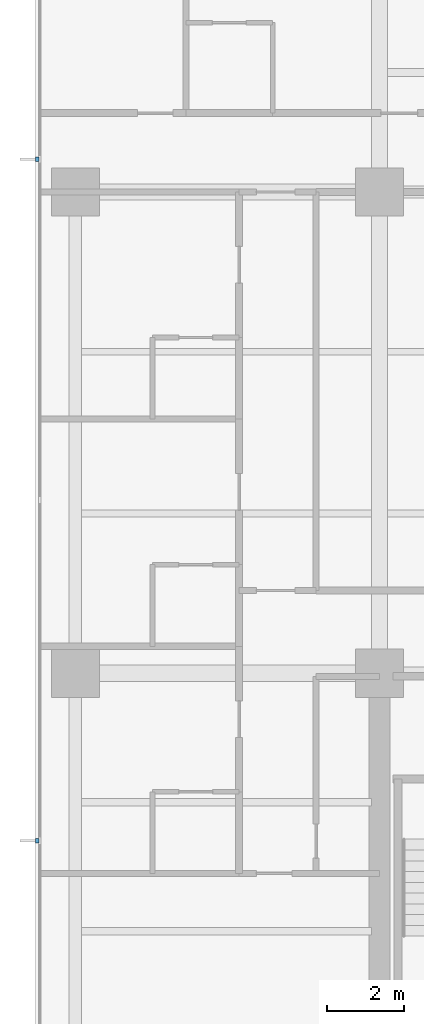
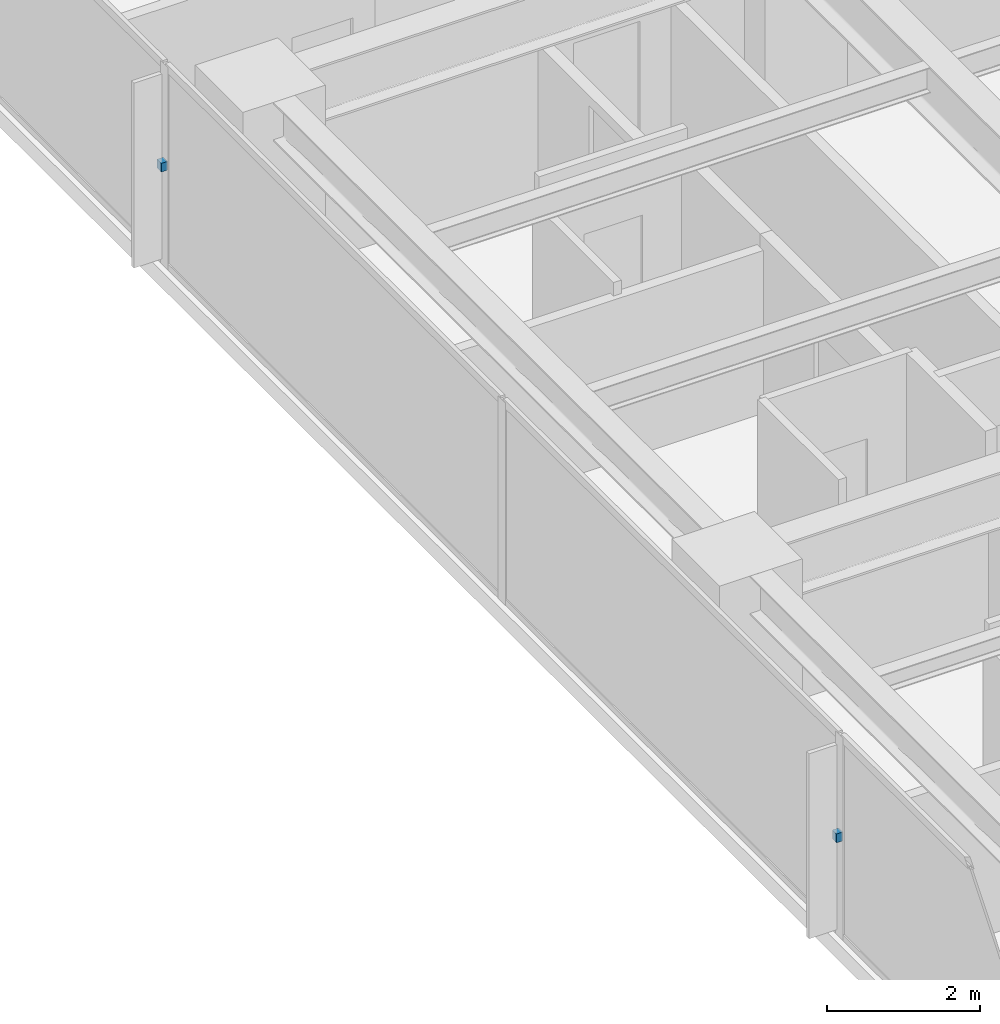
# One storey, part 13 of 17: 2 discrete accessories.
"""IFC4 building model written with IfcOpenShell, lengths in metres."""

from ifc_helpers import new_model, si_unit, direction, frame, origin, place, context, subcontext, project, spatial, polyline, outline, extrude, material, type_object, element, save


model = new_model("IFC4")

# Units and contexts
model_context = context("Model", 3, precision=1e-05, world=origin(), true_north=direction((0.0, 1.0)))
body_context = subcontext(model_context, "Body", "Model", "MODEL_VIEW")
ifc_project = project(units=[si_unit("LENGTHUNIT", "METRE"), si_unit("AREAUNIT", "SQUARE_METRE"), si_unit("VOLUMEUNIT", "CUBIC_METRE"), si_unit("PLANEANGLEUNIT", "RADIAN"), si_unit("MASSUNIT", "GRAM", prefix="KILO")], contexts=[model_context])

# Site, building, storey
site_placement = place(None, origin())
site = spatial("IfcSite", under=ifc_project, at=site_placement, CompositionType="ELEMENT")
building_placement = place(site_placement, origin())
building = spatial("IfcBuilding", under=site, at=building_placement, Name="Qalmaran Belvedere Hotel", CompositionType="ELEMENT")
storey_placement = place(building_placement, frame((0.0, 0.0, 91.699951171875)))
storey = spatial("IfcBuildingStorey", under=building, at=storey_placement, Name="L22", CompositionType="ELEMENT", Elevation=91.699951171875)

# Discrete accessories
ifc_material = material(Name="Stainless Steel 1.4401", Category="steel")
discrete_accessory_type = type_object("IfcDiscreteAccessoryType", Name="BRK-FIN-SS316", PredefinedType="BRACKET", material=ifc_material)
discrete_accessory_1_placement = place(storey_placement, frame((0.0, 0.0, 1.570068359375)))
element("IfcDiscreteAccessory", 1, at=discrete_accessory_1_placement, inside=storey, type_object=discrete_accessory_type, Name="L22 Fin Bracket 1", PredefinedType="BRACKET", context=body_context, shape_type="SweptSolid", body=[
    extrude(outline(polyline([(11.455078125, 33.905029296875), (11.360107421875, 33.905029296875), (11.360107421875, 33.794921875), (11.455078125, 33.794921875), (11.455078125, 33.905029296875)])), origin(), (0.0, 0.0, 1.0), 0.139892578125),
])
discrete_accessory_2_placement = place(storey_placement, frame((0.0, 0.0, 1.570068359375)))
element("IfcDiscreteAccessory", 2, at=discrete_accessory_2_placement, inside=storey, type_object=discrete_accessory_type, Name="L22 Fin Bracket 3", PredefinedType="BRACKET", context=body_context, shape_type="SweptSolid", body=[
    extrude(outline(polyline([(11.455078125, 16.205078125), (11.360107421875, 16.205078125), (11.360107421875, 16.094970703125), (11.455078125, 16.094970703125), (11.455078125, 16.205078125)])), origin(), (0.0, 0.0, 1.0), 0.139892578125),
])

save(model, "model.ifc")
